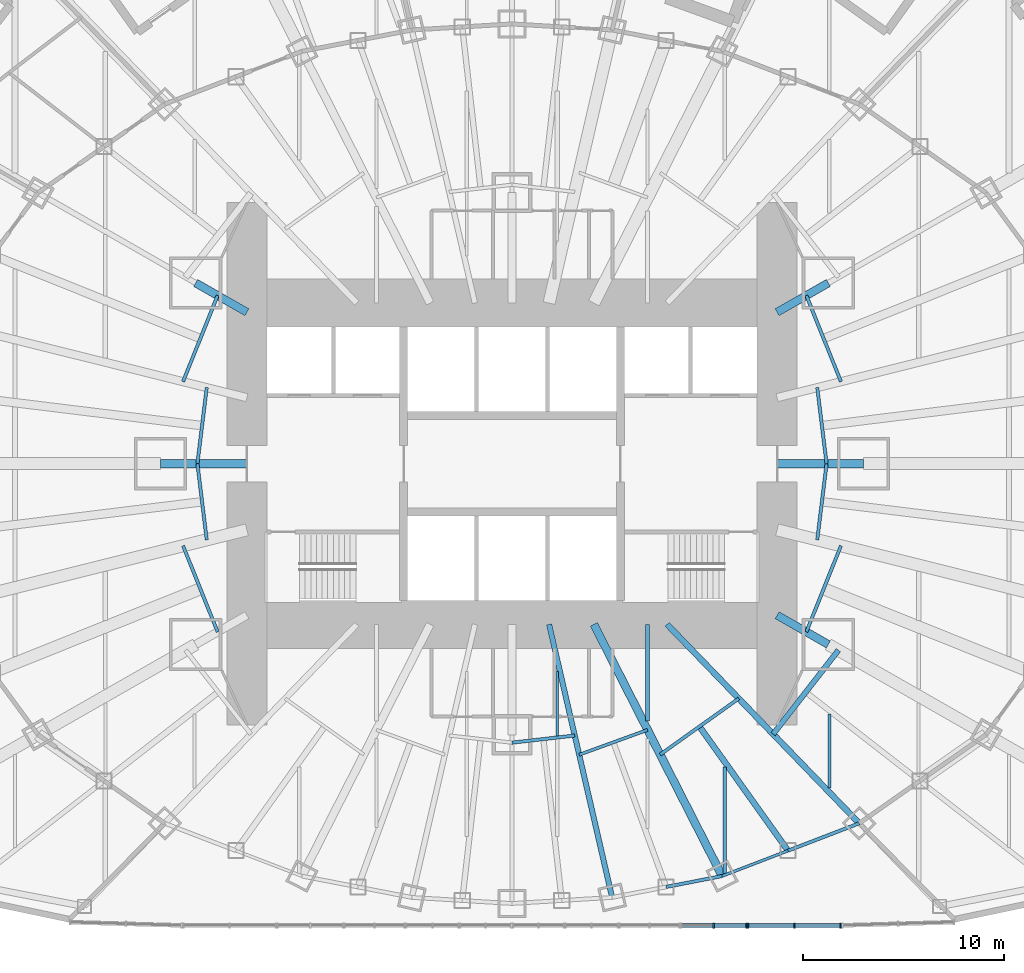
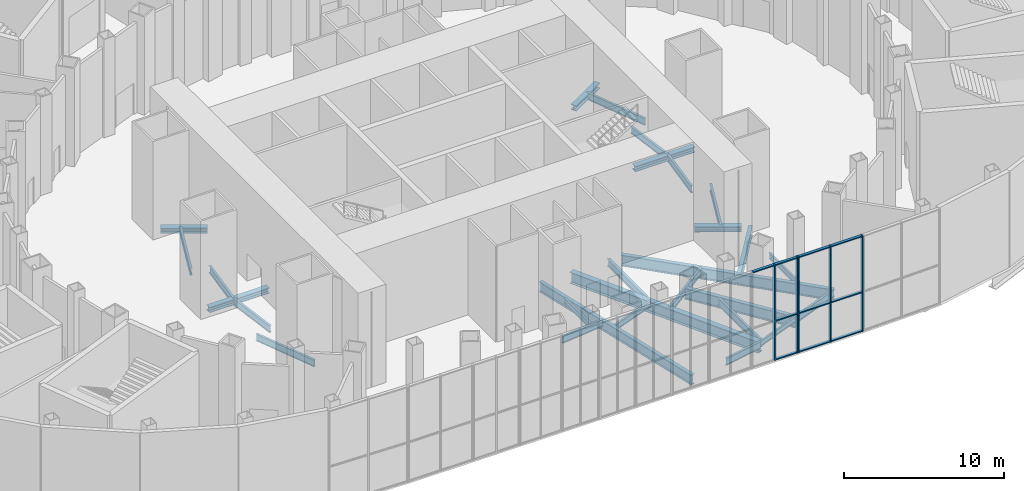
# One storey, part 5 of 73: 28 beams, 15 members, 2 elements without a shape of their own.
"""IFC4 building model written with IfcOpenShell, lengths in metres."""

from ifc_helpers import new_model, si_unit, direction, frame, origin, origin_2d, place, context, subcontext, project, spatial, rectangle, i_section, extrude, material, material_profile, profile_set, type_object, element, aggregate, save


model = new_model("IFC4")

# Units and contexts
model_context = context("Model", 3, precision=1e-05, world=origin(), true_north=direction((0.0, 1.0)))
body_context = subcontext(model_context, "Body", "Model", "MODEL_VIEW")
ifc_project = project(units=[si_unit("LENGTHUNIT", "METRE"), si_unit("AREAUNIT", "SQUARE_METRE"), si_unit("VOLUMEUNIT", "CUBIC_METRE"), si_unit("PLANEANGLEUNIT", "RADIAN"), si_unit("MASSUNIT", "GRAM", prefix="KILO")], contexts=[model_context])

# Site, building, storey
site_placement = place(None, origin())
site = spatial("IfcSite", under=ifc_project, at=site_placement, CompositionType="ELEMENT")
building_placement = place(site_placement, origin())
building = spatial("IfcBuilding", under=site, at=building_placement, Name="Lantaw Convention Tower", CompositionType="ELEMENT")
storey_placement = place(building_placement, frame((0.0, 0.0, 14.5)))
storey = spatial("IfcBuildingStorey", under=building, at=storey_placement, Name="L02", CompositionType="ELEMENT", Elevation=14.5)

# Beams
ifc_material_1 = material(Name="Steel ASTM A992", Category="steel")
ifc_material_profile_1 = material_profile(ifc_material_1, i_section(OverallWidth=0.140380859375, OverallDepth=0.40380859375, WebThickness=0.007080078125, FlangeThickness=0.01123046875, FilletRadius=0.01025390625, at=origin_2d()), Name="W16X31")
ifc_profile_set_1 = profile_set([ifc_material_profile_1], Name="Steel ASTM A992")
beam_type_1 = type_object("IfcBeamType", Name="Beam E W16X31", PredefinedType="SPANDREL", material=ifc_profile_set_1)
beam_1_placement = place(storey_placement, frame((10.462646484375, -20.533935546875, -0.40185546875), z_axis=(0.933241815012, 0.359248820058, 0.0), x_axis=(-0.359248820058, 0.933241815012, 0.0)))
element("IfcBeam", 1, at=beam_1_placement, inside=storey, type_object=beam_type_1, Name="Edge beam 21", PredefinedType="SPANDREL", context=body_context, shape_type="SweptSolid", body=[
    extrude(i_section(OverallWidth=0.140380859375, OverallDepth=0.40380859375, WebThickness=0.007080078125, FlangeThickness=0.01123046875, FilletRadius=0.01025390625, at=origin_2d()), origin(), (0.0, 0.0, 1.0), 3.517578125),
])
ifc_material_profile_2 = material_profile(ifc_material_1, i_section(OverallWidth=0.16650390625, OverallDepth=0.535888671875, WebThickness=0.01025390625, FlangeThickness=0.0166015625, FilletRadius=0.0126953125, at=origin_2d()), Name="W21X57")
ifc_profile_set_2 = profile_set([ifc_material_profile_2], Name="Steel ASTM A992")
beam_type_2 = type_object("IfcBeamType", Name="Beam E W21X57", PredefinedType="SPANDREL", material=ifc_profile_set_2)
beam_2_placement = place(storey_placement, frame((7.671142578125, -21.076416015625, -0.468017578125), z_axis=(0.98163593748, 0.190763954266, 0.0), x_axis=(-0.190763954266, 0.98163593748, 0.0)))
element("IfcBeam", 2, at=beam_2_placement, inside=storey, type_object=beam_type_2, Name="Edge beam 20", PredefinedType="SPANDREL", context=body_context, shape_type="SweptSolid", body=[
    extrude(i_section(OverallWidth=0.16650390625, OverallDepth=0.535888671875, WebThickness=0.01025390625, FlangeThickness=0.0166015625, FilletRadius=0.0126953125, at=origin_2d()), origin(), (0.0, 0.0, 1.0), 2.84375),
])
beam_3_placement = place(storey_placement, frame((13.745361328125, -19.270263671875, -0.468017578125), z_axis=(0.933224646415, 0.359293416754, 0.0), x_axis=(-0.359293416754, 0.933224646415, 0.0)))
element("IfcBeam", 3, at=beam_3_placement, inside=storey, type_object=beam_type_2, Name="Edge beam 21", PredefinedType="SPANDREL", context=body_context, shape_type="SweptSolid", body=[
    extrude(i_section(OverallWidth=0.16650390625, OverallDepth=0.535888671875, WebThickness=0.01025390625, FlangeThickness=0.0166015625, FilletRadius=0.0126953125, at=origin_2d()), origin(), (0.0, 0.0, 1.0), 3.799072265625),
])
ifc_material_profile_3 = material_profile(ifc_material_1, i_section(OverallWidth=0.2666015625, OverallDepth=0.76953125, WebThickness=0.015625, FlangeThickness=0.025390625, FilletRadius=0.0126953125, at=origin_2d()), Name="W30X132")
ifc_profile_set_3 = profile_set([ifc_material_profile_3], Name="Steel ASTM A992")
beam_type_3 = type_object("IfcBeamType", Name="Beam G W30X132", PredefinedType="BEAM", material=ifc_profile_set_3)
beam_4_placement = place(storey_placement, frame((1.846923828125, -8.0, -0.584716796875), z_axis=(0.224952773175, -0.97436966796, 0.0), x_axis=(0.97436966796, 0.224952773175, 0.0)))
element("IfcBeam", 4, at=beam_4_placement, inside=storey, type_object=beam_type_3, Name="Floor girder on ray 20", PredefinedType="BEAM", context=body_context, shape_type="SweptSolid", body=[
    extrude(i_section(OverallWidth=0.2666015625, OverallDepth=0.76953125, WebThickness=0.015625, FlangeThickness=0.025390625, FilletRadius=0.0126953125, at=origin_2d()), origin(), (0.0, 0.0, 1.0), 13.955810546875),
])
ifc_material_profile_4 = material_profile(ifc_material_1, i_section(OverallWidth=0.2919921875, OverallDepth=0.845703125, WebThickness=0.015380859375, FlangeThickness=0.0244140625, FilletRadius=0.01513671875, at=origin_2d()), Name="W33X141")
ifc_profile_set_4 = profile_set([ifc_material_profile_4], Name="Steel ASTM A992")
beam_type_4 = type_object("IfcBeamType", Name="Beam G W33X141", PredefinedType="BEAM", material=ifc_profile_set_4)
beam_5_placement = place(storey_placement, frame((9.335693359375, -13.088134765625, -0.622802734375), z_axis=(0.580702805158, -0.814115625745, 0.0), x_axis=(0.814115625745, 0.580702805158, 0.0)))
element("IfcBeam", 5, at=beam_5_placement, inside=storey, type_object=beam_type_4, Name="Floor girder on bisector 21", PredefinedType="BEAM", context=body_context, shape_type="SweptSolid", body=[
    extrude(i_section(OverallWidth=0.2919921875, OverallDepth=0.845703125, WebThickness=0.015380859375, FlangeThickness=0.0244140625, FilletRadius=0.01513671875, at=origin_2d()), origin(), (0.0, 0.0, 1.0), 7.59375),
])
beam_6_placement = place(storey_placement, frame((7.7255859375, -8.0, -0.622802734375), z_axis=(0.694649884291, -0.719347995239, 0.0), x_axis=(0.719347995239, 0.694649884291, 0.0)))
element("IfcBeam", 6, at=beam_6_placement, inside=storey, type_object=beam_type_4, Name="Floor girder on ray 22", PredefinedType="BEAM", context=body_context, shape_type="SweptSolid", body=[
    extrude(i_section(OverallWidth=0.2919921875, OverallDepth=0.845703125, WebThickness=0.015380859375, FlangeThickness=0.0244140625, FilletRadius=0.01513671875, at=origin_2d()), origin(), (0.0, 0.0, 1.0), 13.769775390625),
])
ifc_material_profile_5 = material_profile(ifc_material_1, i_section(OverallWidth=0.398681640625, OverallDepth=0.85595703125, WebThickness=0.01806640625, FlangeThickness=0.029296875, FilletRadius=0.016357421875, at=origin_2d()), Name="W33X201")
ifc_profile_set_5 = profile_set([ifc_material_profile_5], Name="Steel ASTM A992")
beam_type_5 = type_object("IfcBeamType", Name="Beam G W33X201", PredefinedType="BEAM", material=ifc_profile_set_5)
beam_7_placement = place(storey_placement, frame((4.076171875, -8.0, -0.6279296875), z_axis=(0.453997016122, -0.891003203896, 0.0), x_axis=(0.891003203896, 0.453997016122, 0.0)))
element("IfcBeam", 7, at=beam_7_placement, inside=storey, type_object=beam_type_5, Name="Floor girder on ray 21", PredefinedType="BEAM", context=body_context, shape_type="SweptSolid", body=[
    extrude(i_section(OverallWidth=0.398681640625, OverallDepth=0.85595703125, WebThickness=0.01806640625, FlangeThickness=0.029296875, FilletRadius=0.016357421875, at=origin_2d()), origin(), (0.0, 0.0, 1.0), 14.067138671875),
])
ifc_material_profile_6 = material_profile(ifc_material_1, i_section(OverallWidth=0.40380859375, OverallDepth=0.406494140625, WebThickness=0.027099609375, FlangeThickness=0.043701171875, FilletRadius=0.01513671875, at=origin_2d()), Name="W14X233")
ifc_profile_set_6 = profile_set([ifc_material_profile_6], Name="Steel ASTM A992")
beam_type_6 = type_object("IfcBeamType", Name="Beam GM W14X233", PredefinedType="BEAM", material=ifc_profile_set_6)
beam_8_placement = place(storey_placement, frame((13.199951171875, 0.0, -0.4033203125), z_axis=(1.0, 0.0, 0.0), x_axis=(0.0, 1.0, 0.0)))
element("IfcBeam", 8, at=beam_8_placement, inside=storey, type_object=beam_type_6, Name="Core link beam on ray 1", PredefinedType="BEAM", context=body_context, shape_type="SweptSolid", body=[
    extrude(i_section(OverallWidth=0.40380859375, OverallDepth=0.406494140625, WebThickness=0.027099609375, FlangeThickness=0.043701171875, FilletRadius=0.01513671875, at=origin_2d()), origin(), (0.0, 0.0, 1.0), 4.300048828125),
])
for number, where, z_axis, x_axis, name in (
    (9, (13.199951171875, 7.54296875, -0.4033203125), (0.868263603466, 0.496103129295, 0.0), (-0.496103129295, 0.868263603466, 0.0), "Core link beam on ray 3"),
    (10, (-13.199951171875, 7.54296875, -0.4033203125), (-0.868263603466, 0.496103129295, 0.0), (-0.496103129295, -0.868263603466, 0.0), "Core link beam on ray 11"),
):
    element("IfcBeam", number, at=place(storey_placement, frame(where, z_axis=z_axis, x_axis=x_axis)), inside=storey, type_object=beam_type_6, Name=name, PredefinedType="BEAM", context=body_context, shape_type="SweptSolid", body=[
        extrude(i_section(OverallWidth=0.40380859375, OverallDepth=0.406494140625, WebThickness=0.027099609375, FlangeThickness=0.043701171875, FilletRadius=0.01513671875, at=origin_2d()), origin(), (0.0, 0.0, 1.0), 2.93701171875),
    ])
beam_9_placement = place(storey_placement, frame((-13.199951171875, 0.0, -0.4033203125), z_axis=(-1.0, 0.0, 0.0), x_axis=(0.0, -1.0, 0.0)))
element("IfcBeam", 11, at=beam_9_placement, inside=storey, type_object=beam_type_6, Name="Core link beam on ray 13", PredefinedType="BEAM", context=body_context, shape_type="SweptSolid", body=[
    extrude(i_section(OverallWidth=0.40380859375, OverallDepth=0.406494140625, WebThickness=0.027099609375, FlangeThickness=0.043701171875, FilletRadius=0.01513671875, at=origin_2d()), origin(), (0.0, 0.0, 1.0), 4.300048828125),
])
beam_10_placement = place(storey_placement, frame((13.199951171875, -7.54296875, -0.4033203125), z_axis=(0.868263603466, -0.496103129295, 0.0), x_axis=(0.496103129295, 0.868263603466, 0.0)))
element("IfcBeam", 12, at=beam_10_placement, inside=storey, type_object=beam_type_6, Name="Core link beam on ray 23", PredefinedType="BEAM", context=body_context, shape_type="SweptSolid", body=[
    extrude(i_section(OverallWidth=0.40380859375, OverallDepth=0.406494140625, WebThickness=0.027099609375, FlangeThickness=0.043701171875, FilletRadius=0.01513671875, at=origin_2d()), origin(), (0.0, 0.0, 1.0), 2.93701171875),
])
ifc_material_profile_7 = material_profile(ifc_material_1, i_section(OverallWidth=0.15234375, OverallDepth=0.449462890625, WebThickness=0.007568359375, FlangeThickness=0.0107421875, FilletRadius=0.01025390625, at=origin_2d()), Name="W18X35")
ifc_profile_set_7 = profile_set([ifc_material_profile_7], Name="Steel ASTM A992")
beam_type_7 = type_object("IfcBeamType", Name="Beam HC W18X35", PredefinedType="BEAM", material=ifc_profile_set_7)
beam_11_placement = place(storey_placement, frame((3.345947265625, -14.4931640625, -0.4248046875), z_axis=(0.939689171859, 0.342029619025, 0.0), x_axis=(-0.342029619025, 0.939689171859, 0.0)))
element("IfcBeam", 13, at=beam_11_placement, inside=storey, type_object=beam_type_7, Name="Collar beam on bisector 20", PredefinedType="BEAM", context=body_context, shape_type="SweptSolid", body=[
    extrude(i_section(OverallWidth=0.15234375, OverallDepth=0.449462890625, WebThickness=0.007568359375, FlangeThickness=0.0107421875, FilletRadius=0.01025390625, at=origin_2d()), origin(), (0.0, 0.0, 1.0), 3.62548828125),
])
ifc_material_profile_8 = material_profile(ifc_material_1, i_section(OverallWidth=0.1650390625, OverallDepth=0.52587890625, WebThickness=0.0087890625, FlangeThickness=0.011474609375, FilletRadius=0.0126953125, at=origin_2d()), Name="W21X44")
ifc_profile_set_8 = profile_set([ifc_material_profile_8], Name="Steel ASTM A992")
beam_type_8 = type_object("IfcBeamType", Name="Beam HC W21X44", PredefinedType="BEAM", material=ifc_profile_set_8)
beam_12_placement = place(storey_placement, frame((15.666015625, 0.0, -0.462890625), z_axis=(-0.121925556924, 0.992539247873, 0.0), x_axis=(-0.992539247873, -0.121925556924, 0.0)))
element("IfcBeam", 14, at=beam_12_placement, inside=storey, type_object=beam_type_8, Name="Collar beam on bisector 1", PredefinedType="BEAM", context=body_context, shape_type="SweptSolid", body=[
    extrude(i_section(OverallWidth=0.1650390625, OverallDepth=0.52587890625, WebThickness=0.0087890625, FlangeThickness=0.011474609375, FilletRadius=0.0126953125, at=origin_2d()), origin(), (0.0, 0.0, 1.0), 3.818603515625),
])
for number, where, z_axis, x_axis, name in (
    (15, (16.381591796875, 4.08447265625, -0.462890625), (-0.372591792929, 0.927995342576, 0.0), (-0.927995342576, -0.372591792929, 0.0), "Collar beam on bisector 2"),
    (16, (-14.658447265625, 8.376220703125, -0.462890625), (-0.372591792929, -0.927995342576, 0.0), (0.927995342576, -0.372591792929, 0.0), "Collar beam on bisector 11"),
):
    element("IfcBeam", number, at=place(storey_placement, frame(where, z_axis=z_axis, x_axis=x_axis)), inside=storey, type_object=beam_type_8, Name=name, PredefinedType="BEAM", context=body_context, shape_type="SweptSolid", body=[
        extrude(i_section(OverallWidth=0.1650390625, OverallDepth=0.52587890625, WebThickness=0.0087890625, FlangeThickness=0.011474609375, FilletRadius=0.0126953125, at=origin_2d()), origin(), (0.0, 0.0, 1.0), 4.624755859375),
    ])
for number, where, z_axis, x_axis, name in (
    (17, (-15.200439453125, 3.7900390625, -0.462890625), (-0.121925556924, -0.992539247873, 0.0), (0.992539247873, -0.121925556924, 0.0), "Collar beam on bisector 12"),
    (18, (-15.666015625, 0.0, -0.462890625), (0.121925556924, -0.992539247873, 0.0), (0.992539247873, 0.121925556924, 0.0), "Collar beam on bisector 13"),
):
    element("IfcBeam", number, at=place(storey_placement, frame(where, z_axis=z_axis, x_axis=x_axis)), inside=storey, type_object=beam_type_8, Name=name, PredefinedType="BEAM", context=body_context, shape_type="SweptSolid", body=[
        extrude(i_section(OverallWidth=0.1650390625, OverallDepth=0.52587890625, WebThickness=0.0087890625, FlangeThickness=0.011474609375, FilletRadius=0.0126953125, at=origin_2d()), origin(), (0.0, 0.0, 1.0), 3.818603515625),
    ])
beam_13_placement = place(storey_placement, frame((-16.381591796875, -4.08447265625, -0.462890625), z_axis=(0.372591792929, -0.927995342576, 0.0), x_axis=(0.927995342576, 0.372591792929, 0.0)))
element("IfcBeam", 19, at=beam_13_placement, inside=storey, type_object=beam_type_8, Name="Collar beam on bisector 14", PredefinedType="BEAM", context=body_context, shape_type="SweptSolid", body=[
    extrude(i_section(OverallWidth=0.1650390625, OverallDepth=0.52587890625, WebThickness=0.0087890625, FlangeThickness=0.011474609375, FilletRadius=0.0126953125, at=origin_2d()), origin(), (0.0, 0.0, 1.0), 4.624755859375),
])
beam_14_placement = place(storey_placement, frame((7.379638671875, -14.4833984375, -0.462890625), z_axis=(0.814110909588, 0.580709416912, 0.0), x_axis=(-0.580709416912, 0.814110909588, 0.0)))
element("IfcBeam", 20, at=beam_14_placement, inside=storey, type_object=beam_type_8, Name="Collar beam on bisector 21", PredefinedType="BEAM", context=body_context, shape_type="SweptSolid", body=[
    extrude(i_section(OverallWidth=0.1650390625, OverallDepth=0.52587890625, WebThickness=0.0087890625, FlangeThickness=0.011474609375, FilletRadius=0.0126953125, at=origin_2d()), origin(), (0.0, 0.0, 1.0), 4.805419921875),
])
beam_15_placement = place(storey_placement, frame((14.658447265625, -8.376220703125, -0.462890625), z_axis=(0.372591792929, 0.927995342576, 0.0), x_axis=(-0.927995342576, 0.372591792929, 0.0)))
element("IfcBeam", 21, at=beam_15_placement, inside=storey, type_object=beam_type_8, Name="Collar beam on bisector 23", PredefinedType="BEAM", context=body_context, shape_type="SweptSolid", body=[
    extrude(i_section(OverallWidth=0.1650390625, OverallDepth=0.52587890625, WebThickness=0.0087890625, FlangeThickness=0.011474609375, FilletRadius=0.0126953125, at=origin_2d()), origin(), (0.0, 0.0, 1.0), 4.624755859375),
])
beam_16_placement = place(storey_placement, frame((15.200439453125, -3.7900390625, -0.462890625), z_axis=(0.121925556924, 0.992539247873, 0.0), x_axis=(-0.992539247873, 0.121925556924, 0.0)))
element("IfcBeam", 22, at=beam_16_placement, inside=storey, type_object=beam_type_8, Name="Collar beam on bisector 24", PredefinedType="BEAM", context=body_context, shape_type="SweptSolid", body=[
    extrude(i_section(OverallWidth=0.1650390625, OverallDepth=0.52587890625, WebThickness=0.0087890625, FlangeThickness=0.011474609375, FilletRadius=0.0126953125, at=origin_2d()), origin(), (0.0, 0.0, 1.0), 3.818603515625),
])
ifc_material_profile_9 = material_profile(ifc_material_1, i_section(OverallWidth=0.165771484375, OverallDepth=0.5283203125, WebThickness=0.009765625, FlangeThickness=0.013671875, FilletRadius=0.012939453125, at=origin_2d()), Name="W21X50")
ifc_profile_set_9 = profile_set([ifc_material_profile_9], Name="Steel ASTM A992")
beam_type_9 = type_object("IfcBeamType", Name="Beam HC W21X50", PredefinedType="BEAM", material=ifc_profile_set_9)
beam_17_placement = place(storey_placement, frame((0.0, -13.89111328125, -0.464111328125), z_axis=(0.99356540907, 0.113259780595, 0.0), x_axis=(-0.113259780595, 0.99356540907, 0.0)))
element("IfcBeam", 23, at=beam_17_placement, inside=storey, type_object=beam_type_9, Name="Collar beam on bisector 19", PredefinedType="BEAM", context=body_context, shape_type="SweptSolid", body=[
    extrude(i_section(OverallWidth=0.165771484375, OverallDepth=0.5283203125, WebThickness=0.009765625, FlangeThickness=0.013671875, FilletRadius=0.012939453125, at=origin_2d()), origin(), (0.0, 0.0, 1.0), 3.14501953125),
])
ifc_material_profile_10 = material_profile(ifc_material_1, i_section(OverallWidth=0.2666015625, OverallDepth=0.7568359375, WebThickness=0.013916015625, FlangeThickness=0.019287109375, FilletRadius=0.0126953125, at=origin_2d()), Name="W30X108")
ifc_profile_set_10 = profile_set([ifc_material_profile_10], Name="Steel ASTM A992")
beam_type_10 = type_object("IfcBeamType", Name="Beam HC W30X108", PredefinedType="BEAM", material=ifc_profile_set_10)
beam_18_placement = place(storey_placement, frame((13.003662109375, -13.465576171875, -0.578369140625), z_axis=(0.613886325717, 0.789394438223, 0.0), x_axis=(-0.789394438223, 0.613886325717, 0.0)))
element("IfcBeam", 24, at=beam_18_placement, inside=storey, type_object=beam_type_10, Name="Collar beam on bisector 22", PredefinedType="BEAM", context=body_context, shape_type="SweptSolid", body=[
    extrude(i_section(OverallWidth=0.2666015625, OverallDepth=0.7568359375, WebThickness=0.013916015625, FlangeThickness=0.019287109375, FilletRadius=0.0126953125, at=origin_2d()), origin(), (0.0, 0.0, 1.0), 5.29296875),
])
ifc_material_profile_11 = material_profile(ifc_material_1, i_section(OverallWidth=0.140380859375, OverallDepth=0.40380859375, WebThickness=0.007080078125, FlangeThickness=0.01123046875, FilletRadius=0.01025390625, at=origin_2d()), Name="W16X31")
ifc_profile_set_11 = profile_set([ifc_material_profile_11], Name="Steel ASTM A992")
beam_type_11 = type_object("IfcBeamType", Name="Beam J W16X31", PredefinedType="JOIST", material=ifc_profile_set_11)
beam_19_placement = place(storey_placement, frame((2.25, -13.55126953125, -0.40185546875), z_axis=(0.0, 1.0, 0.0), x_axis=(-1.0, 0.0, 0.0)))
element("IfcBeam", 25, at=beam_19_placement, inside=storey, type_object=beam_type_11, Name="Floor joist", PredefinedType="JOIST", context=body_context, shape_type="SweptSolid", body=[
    extrude(i_section(OverallWidth=0.140380859375, OverallDepth=0.40380859375, WebThickness=0.007080078125, FlangeThickness=0.01123046875, FilletRadius=0.01025390625, at=origin_2d()), origin(), (0.0, 0.0, 1.0), 3.212646484375),
])
ifc_material_profile_12 = material_profile(ifc_material_1, i_section(OverallWidth=0.15234375, OverallDepth=0.449462890625, WebThickness=0.007568359375, FlangeThickness=0.0107421875, FilletRadius=0.01025390625, at=origin_2d()), Name="W18X35")
ifc_profile_set_12 = profile_set([ifc_material_profile_12], Name="Steel ASTM A992")
beam_type_12 = type_object("IfcBeamType", Name="Beam J W18X35", PredefinedType="JOIST", material=ifc_profile_set_12)
beam_20_placement = place(storey_placement, frame((15.800048828125, -16.151123046875, -0.4248046875), z_axis=(0.0, 1.0, 0.0), x_axis=(-1.0, 0.0, 0.0)))
element("IfcBeam", 26, at=beam_20_placement, inside=storey, type_object=beam_type_12, Name="Floor joist", PredefinedType="JOIST", context=body_context, shape_type="SweptSolid", body=[
    extrude(i_section(OverallWidth=0.15234375, OverallDepth=0.449462890625, WebThickness=0.007568359375, FlangeThickness=0.0107421875, FilletRadius=0.01025390625, at=origin_2d()), origin(), (0.0, 0.0, 1.0), 3.6943359375),
])
ifc_material_profile_13 = material_profile(ifc_material_1, i_section(OverallWidth=0.2099609375, OverallDepth=0.535888671875, WebThickness=0.010986328125, FlangeThickness=0.017333984375, FilletRadius=0.012939453125, at=origin_2d()), Name="W21X68")
ifc_profile_set_13 = profile_set([ifc_material_profile_13], Name="Steel ASTM A992")
beam_type_13 = type_object("IfcBeamType", Name="Beam J W21X68", PredefinedType="JOIST", material=ifc_profile_set_13)
beam_21_placement = place(storey_placement, frame((6.75, -12.808349609375, -0.468017578125), z_axis=(0.0, 1.0, 0.0), x_axis=(-1.0, 0.0, 0.0)))
element("IfcBeam", 27, at=beam_21_placement, inside=storey, type_object=beam_type_13, Name="Floor joist", PredefinedType="JOIST", context=body_context, shape_type="SweptSolid", body=[
    extrude(i_section(OverallWidth=0.2099609375, OverallDepth=0.535888671875, WebThickness=0.010986328125, FlangeThickness=0.017333984375, FilletRadius=0.012939453125, at=origin_2d()), origin(), (0.0, 0.0, 1.0), 4.808349609375),
])
ifc_material_profile_14 = material_profile(ifc_material_1, i_section(OverallWidth=0.177978515625, OverallDepth=0.599365234375, WebThickness=0.010009765625, FlangeThickness=0.012939453125, FilletRadius=0.012939453125, at=origin_2d()), Name="W24X55")
ifc_profile_set_14 = profile_set([ifc_material_profile_14], Name="Steel ASTM A992")
beam_type_14 = type_object("IfcBeamType", Name="Beam J W24X55", PredefinedType="JOIST", material=ifc_profile_set_14)
beam_22_placement = place(storey_placement, frame((10.60009765625, -20.40576171875, -0.499755859375), z_axis=(0.0, 1.0, 0.0), x_axis=(-1.0, 0.0, 0.0)))
element("IfcBeam", 28, at=beam_22_placement, inside=storey, type_object=beam_type_14, Name="Floor joist", PredefinedType="JOIST", context=body_context, shape_type="SweptSolid", body=[
    extrude(i_section(OverallWidth=0.177978515625, OverallDepth=0.599365234375, WebThickness=0.010009765625, FlangeThickness=0.012939453125, FilletRadius=0.012939453125, at=origin_2d()), origin(), (0.0, 0.0, 1.0), 5.293701171875),
])

# Curtain wall, members
ifc_material_2 = material(Name="Aluminium framed curtain wall", Category="aluminium")
curtain_wall_type = type_object("IfcCurtainWallType", Name="Podium storefront curtain wall, pale aluminium", PredefinedType="USERDEFINED", material=ifc_material_2)
curtain_wall_1_placement = place(storey_placement, origin())
curtain_wall_1 = element("IfcCurtainWall", 29, at=curtain_wall_1_placement, inside=storey, type_object=curtain_wall_type, Name="Podium storefront curtain wall, pale aluminium L02", ObjectType="STOREFRONT", PredefinedType="USERDEFINED")
ifc_material_3 = material(Name="Aluminium 6063-T6", Category="aluminium")
ifc_material_profile_15 = material_profile(ifc_material_3, rectangle(XDim=0.25, YDim=0.080078125, at=origin_2d()), Name="CW-P mullion 80x250")
ifc_profile_set_15 = profile_set([ifc_material_profile_15], Name="Aluminium 6063-T6")
member_type_1 = type_object("IfcMemberType", Name="CW-P mullion 80x250", PredefinedType="MULLION", material=ifc_profile_set_15)
member_1_placement = place(storey_placement, frame((10.045166015625, -23.0, 0.0), z_axis=(0.0, 0.0, 1.0), x_axis=(0.0, 1.0, 0.0)))
member_1 = element("IfcMember", 30, at=member_1_placement, type_object=member_type_1, Name="CW-P mullion 2", PredefinedType="MULLION", context=body_context, shape_type="SweptSolid", body=[
    extrude(rectangle(XDim=0.25, YDim=0.080078125, at=origin_2d()), origin(), (0.0, 0.0, 1.0), 7.300048828125),
])
member_2_placement = place(storey_placement, frame((11.67919921875, -23.0, 0.0), z_axis=(0.0, 0.0, 1.0), x_axis=(0.0, 1.0, 0.0)))
member_2 = element("IfcMember", 31, at=member_2_placement, type_object=member_type_1, Name="CW-P mullion 3", PredefinedType="MULLION", context=body_context, shape_type="SweptSolid", body=[
    extrude(rectangle(XDim=0.25, YDim=0.080078125, at=origin_2d()), origin(), (0.0, 0.0, 1.0), 7.300048828125),
])

curtain_wall_2_placement = place(storey_placement, origin())
curtain_wall_2 = element("IfcCurtainWall", 32, at=curtain_wall_2_placement, inside=storey, type_object=curtain_wall_type, Name="Podium storefront curtain wall, pale aluminium L02", ObjectType="STOREFRONT", PredefinedType="USERDEFINED")
member_3_placement = place(storey_placement, frame((11.759033203125, -23.0, 0.0), z_axis=(0.0, 0.0, 1.0), x_axis=(0.0, 1.0, 0.0)))
member_3 = element("IfcMember", 33, at=member_3_placement, type_object=member_type_1, Name="CW-P mullion 1", PredefinedType="MULLION", context=body_context, shape_type="SweptSolid", body=[
    extrude(rectangle(XDim=0.25, YDim=0.080078125, at=origin_2d()), origin(), (0.0, 0.0, 1.0), 7.300048828125),
])
member_4_placement = place(storey_placement, frame((14.0625, -23.0, 0.0), z_axis=(0.0, 0.0, 1.0), x_axis=(0.0, 1.0, 0.0)))
member_4 = element("IfcMember", 34, at=member_4_placement, type_object=member_type_1, Name="CW-P mullion 2", PredefinedType="MULLION", context=body_context, shape_type="SweptSolid", body=[
    extrude(rectangle(XDim=0.25, YDim=0.080078125, at=origin_2d()), origin(), (0.0, 0.0, 1.0), 7.300048828125),
])
member_5_placement = place(storey_placement, frame((16.36572265625, -23.0, 0.0), z_axis=(0.0, 0.0, 1.0), x_axis=(0.0, 1.0, 0.0)))
member_5 = element("IfcMember", 35, at=member_5_placement, type_object=member_type_1, Name="CW-P mullion 3", PredefinedType="MULLION", context=body_context, shape_type="SweptSolid", body=[
    extrude(rectangle(XDim=0.25, YDim=0.080078125, at=origin_2d()), origin(), (0.0, 0.0, 1.0), 7.300048828125),
])

# Member
ifc_material_profile_16 = material_profile(ifc_material_3, rectangle(XDim=0.199951171875, YDim=0.080078125, at=origin_2d()), Name="CW-P transom 80x200")
ifc_profile_set_16 = profile_set([ifc_material_profile_16], Name="Aluminium 6063-T6")
member_type_2 = type_object("IfcMemberType", Name="CW-P transom 80x200", PredefinedType="USERDEFINED", material=ifc_profile_set_16)
member_6_placement = place(storey_placement, frame((8.451416015625, -23.0, 7.260009765625), z_axis=(1.0, 0.0, 0.0), x_axis=(0.0, 1.0, 0.0)))
member_6 = element("IfcMember", 36, at=member_6_placement, type_object=member_type_2, Name="CW-P transom 1.3", ObjectType="TRANSOM", PredefinedType="USERDEFINED", context=body_context, shape_type="SweptSolid", body=[
    extrude(rectangle(XDim=0.199951171875, YDim=0.080078125, at=origin_2d()), origin(), (0.0, 0.0, 1.0), 1.5537109375),
])

member_7_placement = place(storey_placement, frame((10.085205078125, -23.0, 0.0400390625), z_axis=(1.0, 0.0, 0.0), x_axis=(0.0, 1.0, 0.0)))
member_7 = element("IfcMember", 37, at=member_7_placement, type_object=member_type_2, Name="CW-P transom 2.1", ObjectType="TRANSOM", PredefinedType="USERDEFINED", context=body_context, shape_type="SweptSolid", body=[
    extrude(rectangle(XDim=0.199951171875, YDim=0.080078125, at=origin_2d()), origin(), (0.0, 0.0, 1.0), 1.553955078125),
])

member_8_placement = place(storey_placement, frame((10.085205078125, -23.0, 3.0), z_axis=(1.0, 0.0, 0.0), x_axis=(0.0, 1.0, 0.0)))
member_8 = element("IfcMember", 38, at=member_8_placement, type_object=member_type_2, Name="CW-P transom 2.2", ObjectType="TRANSOM", PredefinedType="USERDEFINED", context=body_context, shape_type="SweptSolid", body=[
    extrude(rectangle(XDim=0.199951171875, YDim=0.080078125, at=origin_2d()), origin(), (0.0, 0.0, 1.0), 1.553955078125),
])

member_9_placement = place(storey_placement, frame((10.085205078125, -23.0, 7.260009765625), z_axis=(1.0, 0.0, 0.0), x_axis=(0.0, 1.0, 0.0)))
member_9 = element("IfcMember", 39, at=member_9_placement, type_object=member_type_2, Name="CW-P transom 2.3", ObjectType="TRANSOM", PredefinedType="USERDEFINED", context=body_context, shape_type="SweptSolid", body=[
    extrude(rectangle(XDim=0.199951171875, YDim=0.080078125, at=origin_2d()), origin(), (0.0, 0.0, 1.0), 1.553955078125),
])

aggregate(curtain_wall_1, [member_1, member_2, member_6, member_7, member_8, member_9])

member_10_placement = place(storey_placement, frame((11.799072265625, -23.0, 0.0400390625), z_axis=(1.0, 0.0, 0.0), x_axis=(0.0, 1.0, 0.0)))
member_10 = element("IfcMember", 40, at=member_10_placement, type_object=member_type_2, Name="CW-P transom 1.1", ObjectType="TRANSOM", PredefinedType="USERDEFINED", context=body_context, shape_type="SweptSolid", body=[
    extrude(rectangle(XDim=0.199951171875, YDim=0.080078125, at=origin_2d()), origin(), (0.0, 0.0, 1.0), 2.223388671875),
])

member_11_placement = place(storey_placement, frame((11.799072265625, -23.0, 3.0), z_axis=(1.0, 0.0, 0.0), x_axis=(0.0, 1.0, 0.0)))
member_11 = element("IfcMember", 41, at=member_11_placement, type_object=member_type_2, Name="CW-P transom 1.2", ObjectType="TRANSOM", PredefinedType="USERDEFINED", context=body_context, shape_type="SweptSolid", body=[
    extrude(rectangle(XDim=0.199951171875, YDim=0.080078125, at=origin_2d()), origin(), (0.0, 0.0, 1.0), 2.223388671875),
])

member_12_placement = place(storey_placement, frame((11.799072265625, -23.0, 7.260009765625), z_axis=(1.0, 0.0, 0.0), x_axis=(0.0, 1.0, 0.0)))
member_12 = element("IfcMember", 42, at=member_12_placement, type_object=member_type_2, Name="CW-P transom 1.3", ObjectType="TRANSOM", PredefinedType="USERDEFINED", context=body_context, shape_type="SweptSolid", body=[
    extrude(rectangle(XDim=0.199951171875, YDim=0.080078125, at=origin_2d()), origin(), (0.0, 0.0, 1.0), 2.223388671875),
])

member_13_placement = place(storey_placement, frame((14.102294921875, -23.0, 0.0400390625), z_axis=(1.0, 0.0, 0.0), x_axis=(0.0, 1.0, 0.0)))
member_13 = element("IfcMember", 43, at=member_13_placement, type_object=member_type_2, Name="CW-P transom 2.1", ObjectType="TRANSOM", PredefinedType="USERDEFINED", context=body_context, shape_type="SweptSolid", body=[
    extrude(rectangle(XDim=0.199951171875, YDim=0.080078125, at=origin_2d()), origin(), (0.0, 0.0, 1.0), 2.223388671875),
])

member_14_placement = place(storey_placement, frame((14.102294921875, -23.0, 3.0), z_axis=(1.0, 0.0, 0.0), x_axis=(0.0, 1.0, 0.0)))
member_14 = element("IfcMember", 44, at=member_14_placement, type_object=member_type_2, Name="CW-P transom 2.2", ObjectType="TRANSOM", PredefinedType="USERDEFINED", context=body_context, shape_type="SweptSolid", body=[
    extrude(rectangle(XDim=0.199951171875, YDim=0.080078125, at=origin_2d()), origin(), (0.0, 0.0, 1.0), 2.223388671875),
])

member_15_placement = place(storey_placement, frame((14.102294921875, -23.0, 7.260009765625), z_axis=(1.0, 0.0, 0.0), x_axis=(0.0, 1.0, 0.0)))
member_15 = element("IfcMember", 45, at=member_15_placement, type_object=member_type_2, Name="CW-P transom 2.3", ObjectType="TRANSOM", PredefinedType="USERDEFINED", context=body_context, shape_type="SweptSolid", body=[
    extrude(rectangle(XDim=0.199951171875, YDim=0.080078125, at=origin_2d()), origin(), (0.0, 0.0, 1.0), 2.223388671875),
])

aggregate(curtain_wall_2, [member_3, member_4, member_5, member_10, member_11, member_12, member_13, member_14, member_15])

save(model, "model.ifc")
